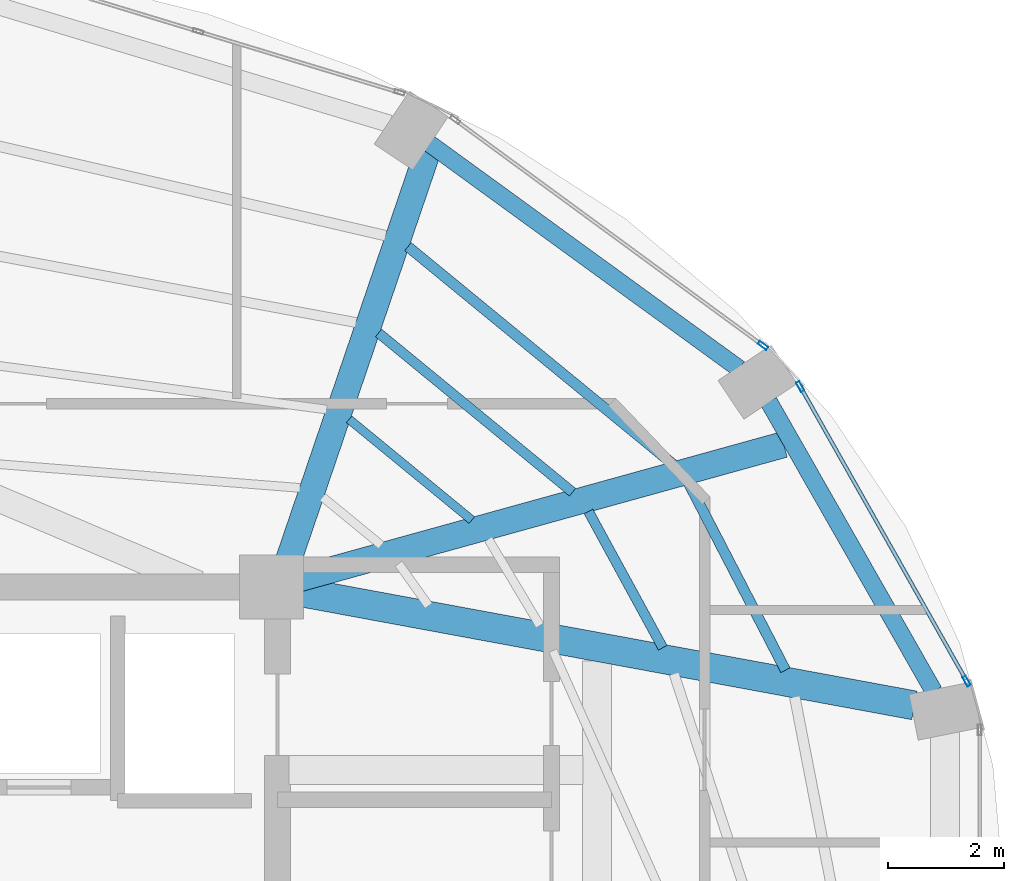
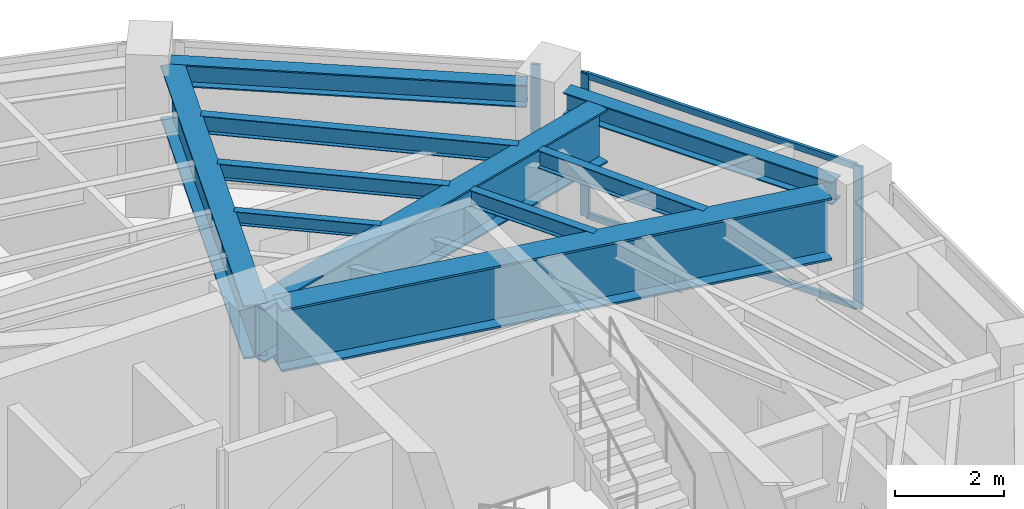
# One storey, part 16 of 23: 10 beams, 5 members, 2 elements without a shape of their own.
"""IFC4 building model written with IfcOpenShell, lengths in metres."""

from ifc_helpers import new_model, si_unit, direction, frame, origin, origin_2d, place, context, subcontext, project, spatial, hollow_rectangle, i_section, extrude, material, layer, layer_set, material_profile, profile_set, type_object, element, aggregate, save


model = new_model("IFC4")

# Units and contexts
model_context = context("Model", 3, precision=1e-05, world=origin(), true_north=direction((0.0, 1.0)))
body_context = subcontext(model_context, "Body", "Model", "MODEL_VIEW")
ifc_project = project(units=[si_unit("LENGTHUNIT", "METRE"), si_unit("AREAUNIT", "SQUARE_METRE"), si_unit("VOLUMEUNIT", "CUBIC_METRE"), si_unit("PLANEANGLEUNIT", "RADIAN"), si_unit("MASSUNIT", "GRAM", prefix="KILO")], contexts=[model_context])

# Site, building, storey
site_placement = place(None, origin())
site = spatial("IfcSite", under=ifc_project, at=site_placement, CompositionType="ELEMENT")
building_placement = place(site_placement, origin())
building = spatial("IfcBuilding", under=site, at=building_placement, Name="Lazwardi Medical Tower", CompositionType="ELEMENT")
storey_placement = place(building_placement, frame((0.0, 0.0, 265.968017578125)))
storey = spatial("IfcBuildingStorey", under=building, at=storey_placement, Name="L69", CompositionType="ELEMENT", Elevation=265.968017578125)

# Beams
ifc_material_1 = material(Name="Steel S355", Category="steel")
ifc_material_profile_1 = material_profile(ifc_material_1, i_section(OverallWidth=0.300048828125, OverallDepth=0.5, WebThickness=0.014404296875, FlangeThickness=0.028076171875, at=origin_2d()), Name="HEB 500")
ifc_profile_set_1 = profile_set([ifc_material_profile_1], Name="Steel S355")
beam_type_1 = type_object("IfcBeamType", Name="BM-RB-Z4", PredefinedType="BEAM", material=ifc_profile_set_1)
beam_1_placement = place(storey_placement, frame((56.991943359375, 33.8017578125, 2.947998046875), z_axis=(-0.495125273299, 0.868821594886, 0.0), x_axis=(-0.868821594886, -0.495125273299, 0.0)))
element("IfcBeam", 1, at=beam_1_placement, inside=storey, type_object=beam_type_1, Name="Ring beam RB-05 B05 L69", PredefinedType="BEAM", context=body_context, shape_type="SweptSolid", body=[
    extrude(i_section(OverallWidth=0.300048828125, OverallDepth=0.5, WebThickness=0.014404296875, FlangeThickness=0.028076171875, at=origin_2d()), origin(), (0.0, 0.0, 1.0), 5.734130859375),
])
beam_2_placement = place(storey_placement, frame((53.644287109375, 39.351806640625, 2.947998046875), z_axis=(-0.808889916254, 0.587960120571, 0.0), x_axis=(-0.587960120571, -0.808889916254, 0.0)))
element("IfcBeam", 2, at=beam_2_placement, inside=storey, type_object=beam_type_1, Name="Ring beam RB-05 B06 L69", PredefinedType="BEAM", context=body_context, shape_type="SweptSolid", body=[
    extrude(i_section(OverallWidth=0.300048828125, OverallDepth=0.5, WebThickness=0.014404296875, FlangeThickness=0.028076171875, at=origin_2d()), origin(), (0.0, 0.0, 1.0), 6.587158203125),
])
ifc_material_profile_2 = material_profile(ifc_material_1, i_section(OverallWidth=0.179931640625, OverallDepth=0.39990234375, WebThickness=0.008544921875, FlangeThickness=0.013427734375, at=origin_2d()), Name="IPE 400")
ifc_profile_set_2 = profile_set([ifc_material_profile_2], Name="Steel S355")
beam_type_2 = type_object("IfcBeamType", Name="BM-SJ-01", PredefinedType="JOIST", material=ifc_profile_set_2)
beam_3_placement = place(storey_placement, frame((54.439697265625, 34.166015625, 2.998046875), z_axis=(-0.459772368156, 0.888036806377, 0.0), x_axis=(-0.888036806377, -0.459772368156, 0.0)))
element("IfcBeam", 3, at=beam_3_placement, inside=storey, type_object=beam_type_2, Name="Secondary joist SJ-01 R1 B05 L69", PredefinedType="JOIST", context=body_context, shape_type="SweptSolid", body=[
    extrude(i_section(OverallWidth=0.179931640625, OverallDepth=0.39990234375, WebThickness=0.008544921875, FlangeThickness=0.013427734375, at=origin_2d()), origin(), (0.0, 0.0, 1.0), 3.61083984375),
])
beam_4_placement = place(storey_placement, frame((52.50830078125, 37.70751953125, 2.998046875), z_axis=(-0.772935561889, 0.634484528707, 0.0), x_axis=(-0.634484528707, -0.772935561889, 0.0)))
element("IfcBeam", 4, at=beam_4_placement, inside=storey, type_object=beam_type_2, Name="Secondary joist SJ-01 R1 B06 L69", PredefinedType="JOIST", context=body_context, shape_type="SweptSolid", body=[
    extrude(i_section(OverallWidth=0.179931640625, OverallDepth=0.39990234375, WebThickness=0.008544921875, FlangeThickness=0.013427734375, at=origin_2d()), origin(), (0.0, 0.0, 1.0), 5.90380859375),
])
ifc_material_profile_3 = material_profile(ifc_material_1, i_section(OverallWidth=0.169921875, OverallDepth=0.360107421875, WebThickness=0.008056640625, FlangeThickness=0.0126953125, at=origin_2d()), Name="IPE 360")
ifc_profile_set_3 = profile_set([ifc_material_profile_3], Name="Steel S355")
beam_type_3 = type_object("IfcBeamType", Name="BM-SJ-02", PredefinedType="JOIST", material=ifc_profile_set_3)
beam_5_placement = place(storey_placement, frame((52.32861328125, 34.55224609375, 3.01806640625), z_axis=(-0.478589291198, 0.87803888886, 0.0), x_axis=(-0.87803888886, -0.478589291198, 0.0)))
element("IfcBeam", 5, at=beam_5_placement, inside=storey, type_object=beam_type_3, Name="Secondary joist SJ-02 R2 B05 L69", PredefinedType="JOIST", context=body_context, shape_type="SweptSolid", body=[
    extrude(i_section(OverallWidth=0.169921875, OverallDepth=0.360107421875, WebThickness=0.008056640625, FlangeThickness=0.0126953125, at=origin_2d()), origin(), (0.0, 0.0, 1.0), 2.66845703125),
])
beam_6_placement = place(storey_placement, frame((50.7763671875, 37.22802734375, 3.01806640625), z_axis=(-0.772968853987, 0.63444396976, 0.0), x_axis=(-0.63444396976, -0.772968853987, 0.0)))
element("IfcBeam", 6, at=beam_6_placement, inside=storey, type_object=beam_type_3, Name="Secondary joist SJ-02 R2 B06 L69", PredefinedType="JOIST", context=body_context, shape_type="SweptSolid", body=[
    extrude(i_section(OverallWidth=0.169921875, OverallDepth=0.360107421875, WebThickness=0.008056640625, FlangeThickness=0.0126953125, at=origin_2d()), origin(), (0.0, 0.0, 1.0), 4.31787109375),
])
ifc_material_profile_4 = material_profile(ifc_material_1, i_section(OverallWidth=0.14990234375, OverallDepth=0.300048828125, WebThickness=0.007080078125, FlangeThickness=0.0107421875, at=origin_2d()), Name="IPE 300")
ifc_profile_set_4 = profile_set([ifc_material_profile_4], Name="Steel S355")
beam_type_4 = type_object("IfcBeamType", Name="BM-SJ-03", PredefinedType="JOIST", material=ifc_profile_set_4)
beam_7_placement = place(storey_placement, frame((49.044189453125, 36.74853515625, 3.048095703125), z_axis=(-0.772925026657, 0.634497362616, 0.0), x_axis=(-0.634497362616, -0.772925026657, 0.0)))
element("IfcBeam", 7, at=beam_7_placement, inside=storey, type_object=beam_type_4, Name="Secondary joist SJ-03 R3 B06 L69", PredefinedType="JOIST", context=body_context, shape_type="SweptSolid", body=[
    extrude(i_section(OverallWidth=0.14990234375, OverallDepth=0.300048828125, WebThickness=0.007080078125, FlangeThickness=0.0107421875, at=origin_2d()), origin(), (0.0, 0.0, 1.0), 2.73193359375),
])
ifc_material_2 = material(Name="Steel S460", Category="steel")
ifc_material_profile_5 = material_profile(ifc_material_2, i_section(OverallWidth=0.5, OverallDepth=1.39990234375, WebThickness=0.028076171875, FlangeThickness=0.044921875, at=origin_2d()), Name="PG 1400x500")
ifc_profile_set_5 = profile_set([ifc_material_profile_5], Name="Steel S460")
beam_type_5 = type_object("IfcBeamType", Name="BM-TG-01", PredefinedType="BEAM", material=ifc_profile_set_5)
beam_8_placement = place(storey_placement, frame((56.658935546875, 33.56005859375, 2.498046875), z_axis=(-0.983409341459, 0.181400295288, 0.0), x_axis=(-0.181400295288, -0.983409341459, 0.0)))
element("IfcBeam", 8, at=beam_8_placement, inside=storey, type_object=beam_type_5, Name="Transfer girder TG-01 M05 L69", PredefinedType="BEAM", context=body_context, shape_type="SweptSolid", body=[
    extrude(i_section(OverallWidth=0.5, OverallDepth=1.39990234375, WebThickness=0.028076171875, FlangeThickness=0.044921875, at=origin_2d()), origin(), (0.0, 0.0, 1.0), 10.71044921875),
])
ifc_material_profile_6 = material_profile(ifc_material_2, i_section(OverallWidth=0.449951171875, OverallDepth=1.199951171875, WebThickness=0.02490234375, FlangeThickness=0.0400390625, at=origin_2d()), Name="PG 1200x450")
ifc_profile_set_6 = profile_set([ifc_material_profile_6], Name="Steel S460")
beam_type_6 = type_object("IfcBeamType", Name="BM-TG-02", PredefinedType="BEAM", material=ifc_profile_set_6)
beam_9_placement = place(storey_placement, frame((54.41064453125, 38.04736328125, 2.597900390625), z_axis=(-0.963754957931, -0.266789019758, 0.0), x_axis=(0.266789019758, -0.963754957931, 0.0)))
element("IfcBeam", 9, at=beam_9_placement, inside=storey, type_object=beam_type_6, Name="Transfer girder TG-02 M06 L69", PredefinedType="BEAM", context=body_context, shape_type="SweptSolid", body=[
    extrude(i_section(OverallWidth=0.449951171875, OverallDepth=1.199951171875, WebThickness=0.02490234375, FlangeThickness=0.0400390625, at=origin_2d()), origin(), (0.0, 0.0, 1.0), 8.986328125),
])
beam_10_placement = place(storey_placement, frame((48.28125, 43.07861328125, 2.597900390625), z_axis=(-0.322529510721, -0.946559408972, 0.0), x_axis=(0.946559408972, -0.322529510721, 0.0)))
element("IfcBeam", 10, at=beam_10_placement, inside=storey, type_object=beam_type_6, Name="Transfer girder TG-02 M07 L69", PredefinedType="BEAM", context=body_context, shape_type="SweptSolid", body=[
    extrude(i_section(OverallWidth=0.449951171875, OverallDepth=1.199951171875, WebThickness=0.02490234375, FlangeThickness=0.0400390625, at=origin_2d()), origin(), (0.0, 0.0, 1.0), 7.84814453125),
])

# Curtain wall, members
ifc_material_3 = material(Name="Anodised bronze aluminium and solar control glazing", Category="aluminium")
ifc_layer = layer(ifc_material_3, 0.18994140625)
ifc_layer_set = layer_set([ifc_layer], Name="Anodised bronze aluminium and solar control glazing")
curtain_wall_type = type_object("IfcCurtainWallType", Name="CW-SYS-04", PredefinedType="NOTDEFINED", material=ifc_layer_set)
curtain_wall_1_placement = place(storey_placement, origin())
curtain_wall_1 = element("IfcCurtainWall", 11, at=curtain_wall_1_placement, inside=storey, type_object=curtain_wall_type, Name="L69 Unitised bronze curtain wall CW-04", PredefinedType="NOTDEFINED")
ifc_material_4 = material(Name="Anodised bronze aluminium", Category="aluminium")
ifc_material_profile_7 = material_profile(ifc_material_4, hollow_rectangle(XDim=0.06494140625, YDim=0.179931640625, WallThickness=0.00390625, at=origin_2d()), Name="ALU-MULLION 180x65x4")
ifc_profile_set_7 = profile_set([ifc_material_profile_7], Name="Anodised bronze aluminium")
member_type_1 = type_object("IfcMemberType", Name="CW-MUL-03", PredefinedType="MULLION", material=ifc_profile_set_7)
member_1_placement = place(storey_placement, frame((57.557373046875, 33.978271484375, 0.0), z_axis=(0.0, 0.0, 1.0), x_axis=(-0.870651436011, -0.491900474661, 0.0)))
member_1 = element("IfcMember", 12, at=member_1_placement, type_object=member_type_1, Name="CW-04 mullion 1", PredefinedType="MULLION", context=body_context, shape_type="SweptSolid", body=[
    extrude(hollow_rectangle(XDim=0.06494140625, YDim=0.179931640625, WallThickness=0.00390625, at=origin_2d()), origin(), (0.0, 0.0, 1.0), 3.197998046875),
])
member_2_placement = place(storey_placement, frame((54.6943359375, 39.04541015625, 0.0), z_axis=(0.0, 0.0, 1.0), x_axis=(-0.870651436011, -0.491900474661, 0.0)))
member_2 = element("IfcMember", 13, at=member_2_placement, type_object=member_type_1, Name="CW-04 mullion 2", PredefinedType="MULLION", context=body_context, shape_type="SweptSolid", body=[
    extrude(hollow_rectangle(XDim=0.06494140625, YDim=0.179931640625, WallThickness=0.00390625, at=origin_2d()), origin(), (0.0, 0.0, 1.0), 3.197998046875),
])

# Curtain wall, member
curtain_wall_2_placement = place(storey_placement, origin())
curtain_wall_2 = element("IfcCurtainWall", 14, at=curtain_wall_2_placement, inside=storey, type_object=curtain_wall_type, Name="L69 Unitised bronze curtain wall CW-04", PredefinedType="NOTDEFINED")
member_3_placement = place(storey_placement, frame((54.052001953125, 39.751708984375, 0.0), z_axis=(0.0, 0.0, 1.0), x_axis=(-0.591268230971, -0.806474971121, 0.0)))
member_3 = element("IfcMember", 15, at=member_3_placement, type_object=member_type_1, Name="CW-04 mullion 1", PredefinedType="MULLION", context=body_context, shape_type="SweptSolid", body=[
    extrude(hollow_rectangle(XDim=0.06494140625, YDim=0.179931640625, WallThickness=0.00390625, at=origin_2d()), origin(), (0.0, 0.0, 1.0), 3.197998046875),
])
aggregate(curtain_wall_2, [member_3])

# Member
ifc_material_profile_8 = material_profile(ifc_material_4, hollow_rectangle(XDim=0.06494140625, YDim=0.139892578125, WallThickness=0.00341796875, at=origin_2d()), Name="ALU-TRANSOM 140x65x3.5")
ifc_profile_set_8 = profile_set([ifc_material_profile_8], Name="Anodised bronze aluminium")
member_type_2 = type_object("IfcMemberType", Name="CW-TRN-03", PredefinedType="USERDEFINED", material=ifc_profile_set_8)
member_4_placement = place(storey_placement, frame((57.541259765625, 34.006591796875, 0.032470703125), z_axis=(-0.491897887635, 0.870652897623, 0.0), x_axis=(-0.870652897623, -0.491897887635, 0.0)))
member_4 = element("IfcMember", 16, at=member_4_placement, type_object=member_type_2, Name="CW-04 transom 1.1", ObjectType="TRANSOM", PredefinedType="USERDEFINED", context=body_context, shape_type="SweptSolid", body=[
    extrude(hollow_rectangle(XDim=0.06494140625, YDim=0.139892578125, WallThickness=0.00341796875, at=origin_2d()), origin(), (0.0, 0.0, 1.0), 5.7548828125),
])

member_5_placement = place(storey_placement, frame((57.541259765625, 34.006591796875, 3.16552734375), z_axis=(-0.491897887635, 0.870652897623, 0.0), x_axis=(-0.870652897623, -0.491897887635, 0.0)))
member_5 = element("IfcMember", 17, at=member_5_placement, type_object=member_type_2, Name="CW-04 transom 1.2", ObjectType="TRANSOM", PredefinedType="USERDEFINED", context=body_context, shape_type="SweptSolid", body=[
    extrude(hollow_rectangle(XDim=0.06494140625, YDim=0.139892578125, WallThickness=0.00341796875, at=origin_2d()), origin(), (0.0, 0.0, 1.0), 5.7548828125),
])

aggregate(curtain_wall_1, [member_1, member_2, member_4, member_5])

save(model, "model.ifc")
